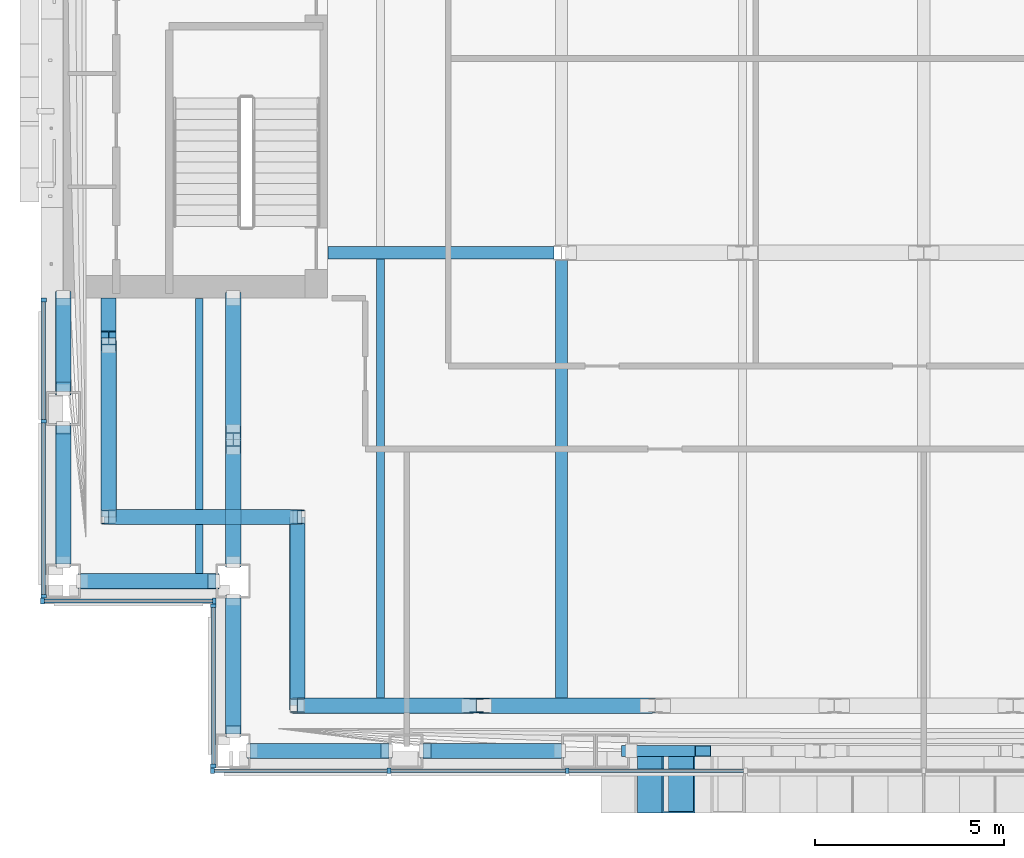
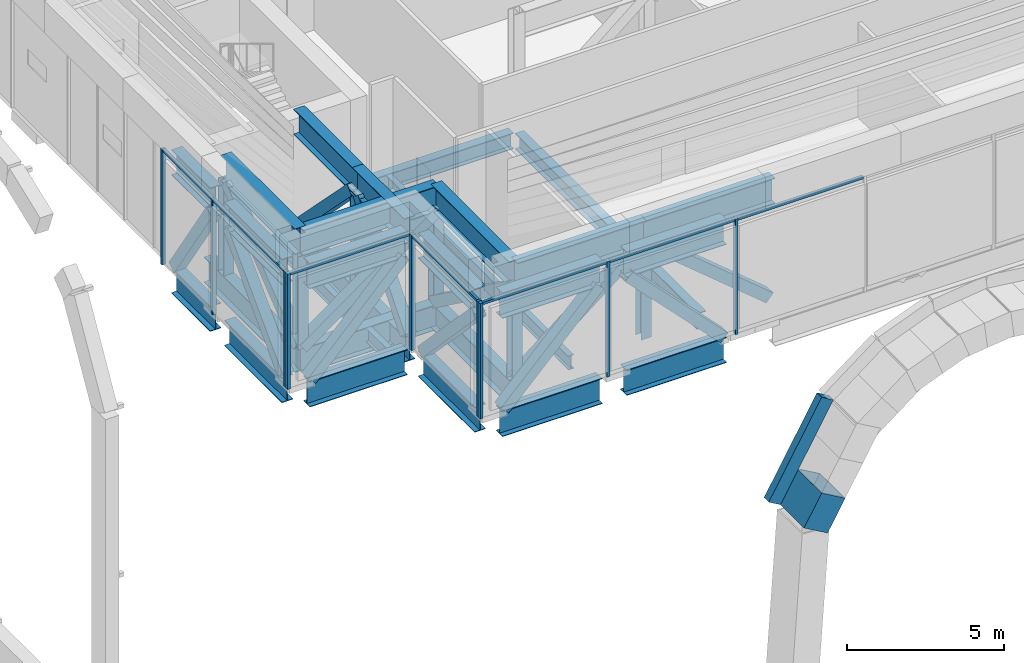
# One storey, part 2 of 38: 60 members, 6 beams, 4 elements without a shape of their own.
"""IFC4 building model written with IfcOpenShell, lengths in metres."""

from ifc_helpers import new_model, si_unit, direction, frame, origin, origin_2d, place, context, subcontext, project, spatial, rectangle, hollow_rectangle, i_section, extrude, material, material_profile, profile_set, type_object, element, aggregate, save


model = new_model("IFC4")

# Units and contexts
model_context = context("Model", 3, precision=1e-05, world=origin(), true_north=direction((0.0, 1.0)))
body_context = subcontext(model_context, "Body", "Model", "MODEL_VIEW")
ifc_project = project(units=[si_unit("LENGTHUNIT", "METRE"), si_unit("AREAUNIT", "SQUARE_METRE"), si_unit("VOLUMEUNIT", "CUBIC_METRE"), si_unit("PLANEANGLEUNIT", "RADIAN"), si_unit("MASSUNIT", "GRAM", prefix="KILO")], contexts=[model_context])

# Site, building, storey
site_placement = place(None, origin())
site = spatial("IfcSite", under=ifc_project, at=site_placement, CompositionType="ELEMENT")
building_placement = place(site_placement, origin())
building = spatial("IfcBuilding", under=site, at=building_placement, Name="Cobrizo Arcos Hotel Tower", CompositionType="ELEMENT")
storey_placement = place(building_placement, frame((0.0, 0.0, 138.0)))
storey = spatial("IfcBuildingStorey", under=building, at=storey_placement, Name="L35", CompositionType="ELEMENT", Elevation=138.0)

# Beam
ifc_material_1 = material(Name="Steel ASTM A572 Grade 50", Category="steel")
ifc_material_profile_1 = material_profile(ifc_material_1, hollow_rectangle(XDim=0.300048828125, YDim=0.5, WallThickness=0.02001953125, at=origin_2d()), Name="BOX 300X500X20")
ifc_profile_set_1 = profile_set([ifc_material_profile_1], Name="Steel ASTM A572 Grade 50")
beam_type_1 = type_object("IfcBeamType", Name="BOX 300X500X20 arch rib", PredefinedType="BEAM", material=ifc_profile_set_1)
beam_1_placement = place(storey_placement, frame((-7.800048828125, -22.800048828125, -7.4326171875), z_axis=(0.497621047013, 0.0, 0.867394543198), x_axis=(0.0, 1.0, 0.0)))
element("IfcBeam", 1, at=beam_1_placement, inside=storey, type_object=beam_type_1, Name="Arch rib AR1, arch B, south face, no. 01", PredefinedType="BEAM", context=body_context, shape_type="SweptSolid", body=[
    extrude(hollow_rectangle(XDim=0.300048828125, YDim=0.5, WallThickness=0.02001953125, at=origin_2d()), origin(), (0.0, 0.0, 1.0), 3.91845703125),
])

# Curtain wall, members
ifc_material_2 = material(Name="Aluminium 6063-T6 anodised bronze", Category="aluminium")
curtain_wall_type = type_object("IfcCurtainWallType", Name="CW-D plant louvre wall", PredefinedType="NOTDEFINED", material=ifc_material_2)
curtain_wall_1_placement = place(storey_placement, origin())
curtain_wall_1 = element("IfcCurtainWall", 2, at=curtain_wall_1_placement, inside=storey, type_object=curtain_wall_type, Name="CW-D L35 S face", PredefinedType="NOTDEFINED")
ifc_material_profile_2 = material_profile(ifc_material_2, rectangle(XDim=0.14990234375, YDim=0.10009765625, at=origin_2d()), Name="CW-D mullion 150x100")
ifc_profile_set_2 = profile_set([ifc_material_profile_2], Name="Aluminium 6063-T6 anodised bronze")
member_type_1 = type_object("IfcMemberType", Name="CW-D mullion 150x100", PredefinedType="MULLION", material=ifc_profile_set_2)
member_1_placement = place(storey_placement, frame((-18.85009765625, -23.324951171875, 0.0), z_axis=(0.0, 0.0, 1.0), x_axis=(0.0, -1.0, 0.0)))
member_1 = element("IfcMember", 3, at=member_1_placement, type_object=member_type_1, Name="CW-D mullion 1", PredefinedType="MULLION", context=body_context, shape_type="SweptSolid", body=[
    extrude(rectangle(XDim=0.14990234375, YDim=0.10009765625, at=origin_2d()), origin(), (0.0, 0.0, 1.0), 4.5),
])
member_2_placement = place(storey_placement, frame((-14.175048828125, -23.324951171875, 0.0), z_axis=(0.0, 0.0, 1.0), x_axis=(0.0, -1.0, 0.0)))
member_2 = element("IfcMember", 4, at=member_2_placement, type_object=member_type_1, Name="CW-D mullion 2", PredefinedType="MULLION", context=body_context, shape_type="SweptSolid", body=[
    extrude(rectangle(XDim=0.14990234375, YDim=0.10009765625, at=origin_2d()), origin(), (0.0, 0.0, 1.0), 4.5),
])
member_3_placement = place(storey_placement, frame((-9.449951171875, -23.324951171875, 0.0), z_axis=(0.0, 0.0, 1.0), x_axis=(0.0, -1.0, 0.0)))
member_3 = element("IfcMember", 5, at=member_3_placement, type_object=member_type_1, Name="CW-D mullion 3", PredefinedType="MULLION", context=body_context, shape_type="SweptSolid", body=[
    extrude(rectangle(XDim=0.14990234375, YDim=0.10009765625, at=origin_2d()), origin(), (0.0, 0.0, 1.0), 4.5),
])

curtain_wall_2_placement = place(storey_placement, origin())
curtain_wall_2 = element("IfcCurtainWall", 6, at=curtain_wall_2_placement, inside=storey, type_object=curtain_wall_type, Name="CW-D L35 W face", PredefinedType="NOTDEFINED")
member_4_placement = place(storey_placement, frame((-23.324951171875, -10.85009765625, 0.0), z_axis=(0.0, 0.0, 1.0), x_axis=(-1.0, 0.0, 0.0)))
member_4 = element("IfcMember", 7, at=member_4_placement, type_object=member_type_1, Name="CW-D mullion 1", PredefinedType="MULLION", context=body_context, shape_type="SweptSolid", body=[
    extrude(rectangle(XDim=0.14990234375, YDim=0.10009765625, at=origin_2d()), origin(), (0.0, 0.0, 1.0), 4.5),
])
member_5_placement = place(storey_placement, frame((-23.324951171875, -14.0625, 0.0), z_axis=(0.0, 0.0, 1.0), x_axis=(-1.0, 0.0, 0.0)))
member_5 = element("IfcMember", 8, at=member_5_placement, type_object=member_type_1, Name="CW-D mullion 2", PredefinedType="MULLION", context=body_context, shape_type="SweptSolid", body=[
    extrude(rectangle(XDim=0.14990234375, YDim=0.10009765625, at=origin_2d()), origin(), (0.0, 0.0, 1.0), 4.5),
])
member_6_placement = place(storey_placement, frame((-23.324951171875, -18.699951171875, 0.0), z_axis=(0.0, 0.0, 1.0), x_axis=(-1.0, 0.0, 0.0)))
member_6 = element("IfcMember", 9, at=member_6_placement, type_object=member_type_1, Name="CW-D mullion 3", PredefinedType="MULLION", context=body_context, shape_type="SweptSolid", body=[
    extrude(rectangle(XDim=0.14990234375, YDim=0.10009765625, at=origin_2d()), origin(), (0.0, 0.0, 1.0), 4.5),
])

curtain_wall_3_placement = place(storey_placement, origin())
curtain_wall_3 = element("IfcCurtainWall", 10, at=curtain_wall_3_placement, inside=storey, type_object=curtain_wall_type, Name="CW-D L35 S face", PredefinedType="NOTDEFINED")
member_7_placement = place(storey_placement, frame((-23.35009765625, -18.824951171875, 0.0), z_axis=(0.0, 0.0, 1.0), x_axis=(0.0, -1.0, 0.0)))
member_7 = element("IfcMember", 11, at=member_7_placement, type_object=member_type_1, Name="CW-D mullion 1", PredefinedType="MULLION", context=body_context, shape_type="SweptSolid", body=[
    extrude(rectangle(XDim=0.14990234375, YDim=0.10009765625, at=origin_2d()), origin(), (0.0, 0.0, 1.0), 4.5),
])
member_8_placement = place(storey_placement, frame((-18.800048828125, -18.824951171875, 0.0), z_axis=(0.0, 0.0, 1.0), x_axis=(0.0, -1.0, 0.0)))
member_8 = element("IfcMember", 12, at=member_8_placement, type_object=member_type_1, Name="CW-D mullion 2", PredefinedType="MULLION", context=body_context, shape_type="SweptSolid", body=[
    extrude(rectangle(XDim=0.14990234375, YDim=0.10009765625, at=origin_2d()), origin(), (0.0, 0.0, 1.0), 4.5),
])

curtain_wall_4_placement = place(storey_placement, origin())
curtain_wall_4 = element("IfcCurtainWall", 13, at=curtain_wall_4_placement, inside=storey, type_object=curtain_wall_type, Name="CW-D L35 W face", PredefinedType="NOTDEFINED")
member_9_placement = place(storey_placement, frame((-18.824951171875, -18.949951171875, 0.0), z_axis=(0.0, 0.0, 1.0), x_axis=(-1.0, 0.0, 0.0)))
member_9 = element("IfcMember", 14, at=member_9_placement, type_object=member_type_1, Name="CW-D mullion 1", PredefinedType="MULLION", context=body_context, shape_type="SweptSolid", body=[
    extrude(rectangle(XDim=0.14990234375, YDim=0.10009765625, at=origin_2d()), origin(), (0.0, 0.0, 1.0), 4.5),
])
member_10_placement = place(storey_placement, frame((-18.824951171875, -23.199951171875, 0.0), z_axis=(0.0, 0.0, 1.0), x_axis=(-1.0, 0.0, 0.0)))
member_10 = element("IfcMember", 15, at=member_10_placement, type_object=member_type_1, Name="CW-D mullion 2", PredefinedType="MULLION", context=body_context, shape_type="SweptSolid", body=[
    extrude(rectangle(XDim=0.14990234375, YDim=0.10009765625, at=origin_2d()), origin(), (0.0, 0.0, 1.0), 4.5),
])

# Member
ifc_material_profile_3 = material_profile(ifc_material_2, rectangle(XDim=0.10009765625, YDim=0.10009765625, at=origin_2d()), Name="CW-D transom 100x100")
ifc_profile_set_3 = profile_set([ifc_material_profile_3], Name="Aluminium 6063-T6 anodised bronze")
member_type_2 = type_object("IfcMemberType", Name="CW-D transom 100x100", PredefinedType="USERDEFINED", material=ifc_profile_set_3)
member_11_placement = place(storey_placement, frame((-18.800048828125, -23.324951171875, 4.449951171875), z_axis=(1.0, 0.0, 0.0), x_axis=(0.0, 1.0, 0.0)))
member_11 = element("IfcMember", 16, at=member_11_placement, type_object=member_type_2, Name="CW-D transom 1275", ObjectType="TRANSOM", PredefinedType="USERDEFINED", context=body_context, shape_type="SweptSolid", body=[
    extrude(rectangle(XDim=0.10009765625, YDim=0.10009765625, at=origin_2d()), origin(), (0.0, 0.0, 1.0), 4.574951171875),
])

member_12_placement = place(storey_placement, frame((-14.125, -23.324951171875, 4.449951171875), z_axis=(1.0, 0.0, 0.0), x_axis=(0.0, 1.0, 0.0)))
member_12 = element("IfcMember", 17, at=member_12_placement, type_object=member_type_2, Name="CW-D transom 1276", ObjectType="TRANSOM", PredefinedType="USERDEFINED", context=body_context, shape_type="SweptSolid", body=[
    extrude(rectangle(XDim=0.10009765625, YDim=0.10009765625, at=origin_2d()), origin(), (0.0, 0.0, 1.0), 4.625),
])

member_13_placement = place(storey_placement, frame((-9.39990234375, -23.324951171875, 4.449951171875), z_axis=(1.0, 0.0, 0.0), x_axis=(0.0, 1.0, 0.0)))
member_13 = element("IfcMember", 18, at=member_13_placement, type_object=member_type_2, Name="CW-D transom 1277", ObjectType="TRANSOM", PredefinedType="USERDEFINED", context=body_context, shape_type="SweptSolid", body=[
    extrude(rectangle(XDim=0.10009765625, YDim=0.10009765625, at=origin_2d()), origin(), (0.0, 0.0, 1.0), 4.625),
])

aggregate(curtain_wall_1, [member_1, member_2, member_3, member_11, member_12, member_13])

member_14_placement = place(storey_placement, frame((-23.324951171875, -10.89990234375, 4.449951171875), z_axis=(0.0, -1.0, 0.0), x_axis=(1.0, 0.0, 0.0)))
member_14 = element("IfcMember", 19, at=member_14_placement, type_object=member_type_2, Name="CW-D transom 1303", ObjectType="TRANSOM", PredefinedType="USERDEFINED", context=body_context, shape_type="SweptSolid", body=[
    extrude(rectangle(XDim=0.10009765625, YDim=0.10009765625, at=origin_2d()), origin(), (0.0, 0.0, 1.0), 3.112548828125),
])

member_15_placement = place(storey_placement, frame((-23.324951171875, -14.112548828125, 4.449951171875), z_axis=(0.0, -1.0, 0.0), x_axis=(1.0, 0.0, 0.0)))
member_15 = element("IfcMember", 20, at=member_15_placement, type_object=member_type_2, Name="CW-D transom 1304", ObjectType="TRANSOM", PredefinedType="USERDEFINED", context=body_context, shape_type="SweptSolid", body=[
    extrude(rectangle(XDim=0.10009765625, YDim=0.10009765625, at=origin_2d()), origin(), (0.0, 0.0, 1.0), 4.537353515625),
])

aggregate(curtain_wall_2, [member_4, member_5, member_6, member_14, member_15])

member_16_placement = place(storey_placement, frame((-23.300048828125, -18.824951171875, 4.449951171875), z_axis=(1.0, 0.0, 0.0), x_axis=(0.0, 1.0, 0.0)))
member_16 = element("IfcMember", 21, at=member_16_placement, type_object=member_type_2, Name="CW-D transom 1305", ObjectType="TRANSOM", PredefinedType="USERDEFINED", context=body_context, shape_type="SweptSolid", body=[
    extrude(rectangle(XDim=0.10009765625, YDim=0.10009765625, at=origin_2d()), origin(), (0.0, 0.0, 1.0), 4.449951171875),
])

aggregate(curtain_wall_3, [member_7, member_8, member_16])

member_17_placement = place(storey_placement, frame((-18.824951171875, -19.0, 4.449951171875), z_axis=(0.0, -1.0, 0.0), x_axis=(1.0, 0.0, 0.0)))
member_17 = element("IfcMember", 22, at=member_17_placement, type_object=member_type_2, Name="CW-D transom 1306", ObjectType="TRANSOM", PredefinedType="USERDEFINED", context=body_context, shape_type="SweptSolid", body=[
    extrude(rectangle(XDim=0.10009765625, YDim=0.10009765625, at=origin_2d()), origin(), (0.0, 0.0, 1.0), 4.14990234375),
])

aggregate(curtain_wall_4, [member_9, member_10, member_17])

# Members
ifc_material_3 = material(Name="Steel ASTM A500 Grade C", Category="steel")
ifc_material_profile_4 = material_profile(ifc_material_3, hollow_rectangle(XDim=0.406494140625, YDim=0.406494140625, WallThickness=0.014892578125, at=origin_2d()), Name="HSS16X16X5/8")
ifc_profile_set_4 = profile_set([ifc_material_profile_4], Name="Steel ASTM A500 Grade C")
member_type_3 = type_object("IfcMemberType", Name="HSS16X16X5/8 truss diagonal", PredefinedType="BRACE", material=ifc_profile_set_4)
for number, where, z_axis, x_axis, name in (
    (23, (-17.77001953125, -22.800048828125, -0.300048828125), (0.697692612805, 0.0, 0.716397248764), (0.0, 1.0, 0.0), "Belt truss diagonal TD1, L35, no. 001"),
    (24, (-13.195068359375, -22.800048828125, 3.309326171875), (0.697692612805, 0.0, -0.716397248764), (0.0, 1.0, 0.0), "Belt truss diagonal TD1, L35, no. 002"),
):
    element("IfcMember", number, at=place(storey_placement, frame(where, z_axis=z_axis, x_axis=x_axis)), inside=storey, type_object=member_type_3, Name=name, PredefinedType="BRACE", context=body_context, shape_type="SweptSolid", body=[
        extrude(hollow_rectangle(XDim=0.406494140625, YDim=0.406494140625, WallThickness=0.014892578125, at=origin_2d()), origin(), (0.0, 0.0, 1.0), 5.038330078125),
    ])
member_18_placement = place(storey_placement, frame((-22.800048828125, -10.801025390625, -0.300048828125), z_axis=(0.0, -0.552747460916, 0.833348813194), x_axis=(1.0, 0.0, 0.0)))
element("IfcMember", 25, at=member_18_placement, inside=storey, type_object=member_type_3, Name="Belt truss diagonal TD1, L35, no. 027", PredefinedType="BRACE", context=body_context, shape_type="SweptSolid", body=[
    extrude(hollow_rectangle(XDim=0.406494140625, YDim=0.406494140625, WallThickness=0.014892578125, at=origin_2d()), origin(), (0.0, 0.0, 1.0), 4.3310546875),
])
member_19_placement = place(storey_placement, frame((-22.800048828125, -14.2548828125, 3.309326171875), z_axis=(0.0, -0.697692612805, -0.716397248764), x_axis=(1.0, 0.0, 0.0)))
element("IfcMember", 26, at=member_19_placement, inside=storey, type_object=member_type_3, Name="Belt truss diagonal TD1, L35, no. 028", PredefinedType="BRACE", context=body_context, shape_type="SweptSolid", body=[
    extrude(hollow_rectangle(XDim=0.406494140625, YDim=0.406494140625, WallThickness=0.014892578125, at=origin_2d()), origin(), (0.0, 0.0, 1.0), 5.038330078125),
])
for number, where, z_axis, x_axis, name in (
    (27, (-22.27001953125, -18.300048828125, -0.300048828125), (0.689911887798, 0.0, 0.723893353385), (0.0, 1.0, 0.0), "Belt truss diagonal TD1, L35, no. 029"),
    (28, (-18.300048828125, -18.830078125, -0.300048828125), (0.0, -0.689911887798, 0.723893353385), (1.0, 0.0, 0.0), "Belt truss diagonal TD1, L35, no. 030"),
):
    element("IfcMember", number, at=place(storey_placement, frame(where, z_axis=z_axis, x_axis=x_axis)), inside=storey, type_object=member_type_3, Name=name, PredefinedType="BRACE", context=body_context, shape_type="SweptSolid", body=[
        extrude(hollow_rectangle(XDim=0.406494140625, YDim=0.406494140625, WallThickness=0.014892578125, at=origin_2d()), origin(), (0.0, 0.0, 1.0), 4.986083984375),
    ])
member_20_placement = place(storey_placement, frame((-16.60009765625, -21.60009765625, -0.300048828125), z_axis=(0.782982461562, 0.0, 0.622043780522), x_axis=(0.0, 1.0, 0.0)))
element("IfcMember", 29, at=member_20_placement, inside=storey, type_object=member_type_3, Name="Belt truss diagonal TD1, L35, no. 031", PredefinedType="BRACE", context=body_context, shape_type="SweptSolid", body=[
    extrude(hollow_rectangle(XDim=0.406494140625, YDim=0.406494140625, WallThickness=0.014892578125, at=origin_2d()), origin(), (0.0, 0.0, 1.0), 5.802490234375),
])
member_21_placement = place(storey_placement, frame((-11.656982421875, -21.60009765625, 3.309326171875), z_axis=(0.769074628043, 0.0, -0.639158991567), x_axis=(0.0, 1.0, 0.0)))
element("IfcMember", 30, at=member_21_placement, inside=storey, type_object=member_type_3, Name="Belt truss diagonal TD1, L35, no. 032", PredefinedType="BRACE", context=body_context, shape_type="SweptSolid", body=[
    extrude(hollow_rectangle(XDim=0.406494140625, YDim=0.406494140625, WallThickness=0.014892578125, at=origin_2d()), origin(), (0.0, 0.0, 1.0), 5.64697265625),
])
member_22_placement = place(storey_placement, frame((-21.60009765625, -12.056884765625, 3.309326171875), z_axis=(0.0, -0.782982461562, -0.622043780522), x_axis=(1.0, 0.0, 0.0)))
element("IfcMember", 31, at=member_22_placement, inside=storey, type_object=member_type_3, Name="Belt truss diagonal TD1, L35, no. 054", PredefinedType="BRACE", context=body_context, shape_type="SweptSolid", body=[
    extrude(hollow_rectangle(XDim=0.406494140625, YDim=0.406494140625, WallThickness=0.014892578125, at=origin_2d()), origin(), (0.0, 0.0, 1.0), 5.802490234375),
])
for number, where, z_axis, x_axis, name in (
    (32, (-21.60009765625, -16.60009765625, -0.300048828125), (0.810812835162, 0.0, 0.585305515382), (0.0, 1.0, 0.0), "Belt truss diagonal TD1, L35, no. 055"),
    (33, (-16.60009765625, -16.60009765625, -0.300048828125), (0.0, -0.810812835162, 0.585305515382), (1.0, 0.0, 0.0), "Belt truss diagonal TD1, L35, no. 056"),
):
    element("IfcMember", number, at=place(storey_placement, frame(where, z_axis=z_axis, x_axis=x_axis)), inside=storey, type_object=member_type_3, Name=name, PredefinedType="BRACE", context=body_context, shape_type="SweptSolid", body=[
        extrude(hollow_rectangle(XDim=0.406494140625, YDim=0.406494140625, WallThickness=0.014892578125, at=origin_2d()), origin(), (0.0, 0.0, 1.0), 6.166748046875),
    ])
member_23_placement = place(storey_placement, frame((-18.300048828125, -10.800048828125, -0.300048828125), z_axis=(0.0, -0.70122330533, 0.712941705935), x_axis=(1.0, 0.0, 0.0)))
element("IfcMember", 34, at=member_23_placement, inside=storey, type_object=member_type_3, Name="Outrigger diagonal TD1, L35, no. 007", PredefinedType="BRACE", context=body_context, shape_type="SweptSolid", body=[
    extrude(hollow_rectangle(XDim=0.406494140625, YDim=0.406494140625, WallThickness=0.014892578125, at=origin_2d()), origin(), (0.0, 0.0, 1.0), 5.062744140625),
])
member_24_placement = place(storey_placement, frame((-18.300048828125, -14.75, 3.309326171875), z_axis=(0.0, -0.641713914512, -0.766944099607), x_axis=(1.0, 0.0, 0.0)))
element("IfcMember", 35, at=member_24_placement, inside=storey, type_object=member_type_3, Name="Outrigger diagonal TD1, L35, no. 008", PredefinedType="BRACE", context=body_context, shape_type="SweptSolid", body=[
    extrude(hollow_rectangle(XDim=0.406494140625, YDim=0.406494140625, WallThickness=0.014892578125, at=origin_2d()), origin(), (0.0, 0.0, 1.0), 4.706298828125),
])
ifc_material_4 = material(Name="Steel ASTM A572 Grade 50 verdigris painted", Category="steel")
ifc_material_profile_5 = material_profile(ifc_material_4, hollow_rectangle(XDim=1.60009765625, YDim=1.0, WallThickness=0.050048828125, at=origin_2d()), Name="PF-2 arch ring frame box 1600x1000x50")
ifc_profile_set_5 = profile_set([ifc_material_profile_5], Name="Steel ASTM A572 Grade 50 verdigris painted")
member_type_4 = type_object("IfcMemberType", Name="PF-2 arch ring frame box 1600x1000x50", PredefinedType="USERDEFINED", material=ifc_profile_set_5)
member_25_placement = place(storey_placement, frame((-7.1494140625, -23.64990234375, -7.805908203125), z_axis=(0.497547278685, 0.0, 0.867436859646), x_axis=(0.0, 1.0, 0.0)))
element("IfcMember", 36, at=member_25_placement, inside=storey, type_object=member_type_4, Name="B ring frame lintel S1", ObjectType="PORTAL FRAME", PredefinedType="USERDEFINED", context=body_context, shape_type="SweptSolid", body=[
    extrude(hollow_rectangle(XDim=1.60009765625, YDim=1.0, WallThickness=0.050048828125, at=origin_2d()), origin(), (0.0, 0.0, 1.0), 1.30615234375),
])
ifc_material_5 = material(Name="Steel ASTM A992 Grade 50", Category="steel")
ifc_material_profile_6 = material_profile(ifc_material_5, i_section(OverallWidth=0.373291015625, OverallDepth=0.373291015625, WebThickness=0.016357421875, FlangeThickness=0.026123046875, at=origin_2d()), Name="W14X132")
ifc_profile_set_6 = profile_set([ifc_material_profile_6], Name="Steel ASTM A992 Grade 50")
member_type_5 = type_object("IfcMemberType", Name="W14X132 truss post", PredefinedType="POST", material=ifc_profile_set_6)
for number, where, z_axis, x_axis, name in (
    (37, (-16.60009765625, -21.60009765625, -0.300048828125), (0.0, 0.0, 1.0), (1.0, 0.0, 0.0), "Truss post TP1, L35, no. 005"),
    (38, (-11.85693359375, -21.60009765625, -0.300048828125), (0.0, 0.0, 1.0), (1.0, 0.0, 0.0), "Truss post TP1, L35, no. 006"),
    (39, (-21.60009765625, -11.85693359375, -0.300048828125), (0.0, 0.0, 1.0), (1.0, 0.0, 0.0), "Truss post TP1, L35, no. 030"),
    (40, (-21.60009765625, -16.60009765625, -0.300048828125), (0.0, 0.0, 1.0), (1.0, 0.0, 0.0), "Truss post TP1, L35, no. 031"),
    (41, (-16.60009765625, -16.60009765625, -0.300048828125), (0.0, 0.0, 1.0), (1.0, 0.0, 0.0), "Truss post TP1, L35, no. 032"),
    (42, (-18.300048828125, -14.550048828125, -0.300048828125), (0.0, 0.0, 1.0), (1.0, 0.0, 0.0), "Truss post TP1, L35, no. 035"),
):
    element("IfcMember", number, at=place(storey_placement, frame(where, z_axis=z_axis, x_axis=x_axis)), inside=storey, type_object=member_type_5, Name=name, PredefinedType="POST", context=body_context, shape_type="SweptSolid", body=[
        extrude(i_section(OverallWidth=0.373291015625, OverallDepth=0.373291015625, WebThickness=0.016357421875, FlangeThickness=0.026123046875, at=origin_2d()), origin(), (0.0, 0.0, 1.0), 3.609375),
    ])

# Beams
ifc_material_profile_7 = material_profile(ifc_material_5, i_section(OverallWidth=0.209228515625, OverallDepth=0.533447265625, WebThickness=0.01025390625, FlangeThickness=0.015625, at=origin_2d()), Name="W21X62")
ifc_profile_set_7 = profile_set([ifc_material_profile_7], Name="Steel ASTM A992 Grade 50")
beam_type_2 = type_object("IfcBeamType", Name="W21X62 joist", PredefinedType="JOIST", material=ifc_profile_set_7)
beam_2_placement = place(storey_placement, frame((-19.199951171875, -18.099609375, -0.566650390625), z_axis=(0.0, 1.0, 0.0), x_axis=(-1.0, 0.0, 0.0)))
element("IfcBeam", 43, at=beam_2_placement, inside=storey, type_object=beam_type_2, Name="Floor joist J1, L35, no. 001", PredefinedType="JOIST", context=body_context, shape_type="SweptSolid", body=[
    extrude(i_section(OverallWidth=0.209228515625, OverallDepth=0.533447265625, WebThickness=0.01025390625, FlangeThickness=0.015625, at=origin_2d()), origin(), (0.0, 0.0, 1.0), 1.299072265625),
])
beam_3_placement = place(storey_placement, frame((-19.199951171875, -16.3994140625, -0.566650390625), z_axis=(0.0, 1.0, 0.0), x_axis=(-1.0, 0.0, 0.0)))
element("IfcBeam", 44, at=beam_3_placement, inside=storey, type_object=beam_type_2, Name="Floor joist J1, L35, no. 002", PredefinedType="JOIST", context=body_context, shape_type="SweptSolid", body=[
    extrude(i_section(OverallWidth=0.209228515625, OverallDepth=0.533447265625, WebThickness=0.01025390625, FlangeThickness=0.015625, at=origin_2d()), origin(), (0.0, 0.0, 1.0), 5.58935546875),
])
beam_4_placement = place(storey_placement, frame((-14.39990234375, -21.3994140625, -0.566650390625), z_axis=(0.0, 1.0, 0.0), x_axis=(-1.0, 0.0, 0.0)))
element("IfcBeam", 45, at=beam_4_placement, inside=storey, type_object=beam_type_2, Name="Floor joist J1, L35, no. 005", PredefinedType="JOIST", context=body_context, shape_type="SweptSolid", body=[
    extrude(i_section(OverallWidth=0.209228515625, OverallDepth=0.533447265625, WebThickness=0.01025390625, FlangeThickness=0.015625, at=origin_2d()), origin(), (0.0, 0.0, 1.0), 11.635498046875),
])
ifc_material_profile_8 = material_profile(ifc_material_5, i_section(OverallWidth=0.32763671875, OverallDepth=0.622314453125, WebThickness=0.015380859375, FlangeThickness=0.0244140625, at=origin_2d()), Name="W24X131")
ifc_profile_set_8 = profile_set([ifc_material_profile_8], Name="Steel ASTM A992 Grade 50")
beam_type_3 = type_object("IfcBeamType", Name="W24X131 girder", PredefinedType="BEAM", material=ifc_profile_set_8)
beam_5_placement = place(storey_placement, frame((-15.7900390625, -9.60009765625, -0.611083984375), z_axis=(1.0, 0.0, 0.0), x_axis=(0.0, 1.0, 0.0)))
element("IfcBeam", 46, at=beam_5_placement, inside=storey, type_object=beam_type_3, Name="Floor girder G1, L35, no. 001", PredefinedType="BEAM", context=body_context, shape_type="SweptSolid", body=[
    extrude(i_section(OverallWidth=0.32763671875, OverallDepth=0.622314453125, WebThickness=0.015380859375, FlangeThickness=0.0244140625, at=origin_2d()), origin(), (0.0, 0.0, 1.0), 5.99072265625),
])
beam_6_placement = place(storey_placement, frame((-9.60009765625, -21.3994140625, -0.611083984375), z_axis=(0.0, 1.0, 0.0), x_axis=(-1.0, 0.0, 0.0)))
element("IfcBeam", 47, at=beam_6_placement, inside=storey, type_object=beam_type_3, Name="Floor girder G1, L35, no. 007", PredefinedType="BEAM", context=body_context, shape_type="SweptSolid", body=[
    extrude(i_section(OverallWidth=0.32763671875, OverallDepth=0.622314453125, WebThickness=0.015380859375, FlangeThickness=0.0244140625, at=origin_2d()), origin(), (0.0, 0.0, 1.0), 11.598876953125),
])

# Members
ifc_material_profile_9 = material_profile(ifc_material_5, i_section(OverallWidth=0.4013671875, OverallDepth=0.990478515625, WebThickness=0.0166015625, FlangeThickness=0.025390625, at=origin_2d()), Name="W40X215")
ifc_profile_set_9 = profile_set([ifc_material_profile_9], Name="Steel ASTM A992 Grade 50")
member_type_6 = type_object("IfcMemberType", Name="W40X215 belt truss chord", PredefinedType="CHORD", material=ifc_profile_set_9)
member_26_placement = place(storey_placement, frame((-17.85009765625, -22.800048828125, -0.79541015625), z_axis=(1.0, 0.0, 0.0), x_axis=(0.0, 1.0, 0.0)))
element("IfcMember", 48, at=member_26_placement, inside=storey, type_object=member_type_6, Name="Belt truss bottom chord TC1, L35, no. 001", PredefinedType="CHORD", context=body_context, shape_type="SweptSolid", body=[
    extrude(i_section(OverallWidth=0.4013671875, OverallDepth=0.990478515625, WebThickness=0.0166015625, FlangeThickness=0.025390625, at=origin_2d()), origin(), (0.0, 0.0, 1.0), 3.675048828125),
])
member_27_placement = place(storey_placement, frame((-13.27490234375, -22.800048828125, -0.79541015625), z_axis=(1.0, 0.0, 0.0), x_axis=(0.0, 1.0, 0.0)))
element("IfcMember", 49, at=member_27_placement, inside=storey, type_object=member_type_6, Name="Belt truss bottom chord TC1, L35, no. 002", PredefinedType="CHORD", context=body_context, shape_type="SweptSolid", body=[
    extrude(i_section(OverallWidth=0.4013671875, OverallDepth=0.990478515625, WebThickness=0.0166015625, FlangeThickness=0.025390625, at=origin_2d()), origin(), (0.0, 0.0, 1.0), 3.6748046875),
])
member_28_placement = place(storey_placement, frame((-17.85009765625, -22.800048828125, 3.8046875), z_axis=(1.0, 0.0, 0.0), x_axis=(0.0, 1.0, 0.0)))
element("IfcMember", 50, at=member_28_placement, inside=storey, type_object=member_type_6, Name="Belt truss top chord TC1, L35, no. 001", PredefinedType="CHORD", context=body_context, shape_type="SweptSolid", body=[
    extrude(i_section(OverallWidth=0.4013671875, OverallDepth=0.990478515625, WebThickness=0.0166015625, FlangeThickness=0.025390625, at=origin_2d()), origin(), (0.0, 0.0, 1.0), 3.675048828125),
])
member_29_placement = place(storey_placement, frame((-13.27490234375, -22.800048828125, 3.8046875), z_axis=(1.0, 0.0, 0.0), x_axis=(0.0, 1.0, 0.0)))
element("IfcMember", 51, at=member_29_placement, inside=storey, type_object=member_type_6, Name="Belt truss top chord TC1, L35, no. 002", PredefinedType="CHORD", context=body_context, shape_type="SweptSolid", body=[
    extrude(i_section(OverallWidth=0.4013671875, OverallDepth=0.990478515625, WebThickness=0.0166015625, FlangeThickness=0.025390625, at=origin_2d()), origin(), (0.0, 0.0, 1.0), 3.6748046875),
])
member_30_placement = place(storey_placement, frame((-22.800048828125, -10.801025390625, -0.79541015625), z_axis=(0.0, -1.0, 0.0), x_axis=(1.0, 0.0, 0.0)))
element("IfcMember", 52, at=member_30_placement, inside=storey, type_object=member_type_6, Name="Belt truss bottom chord TC1, L35, no. 023", PredefinedType="CHORD", context=body_context, shape_type="SweptSolid", body=[
    extrude(i_section(OverallWidth=0.4013671875, OverallDepth=0.990478515625, WebThickness=0.0166015625, FlangeThickness=0.025390625, at=origin_2d()), origin(), (0.0, 0.0, 1.0), 2.473876953125),
])
member_31_placement = place(storey_placement, frame((-22.800048828125, -14.175048828125, -0.79541015625), z_axis=(0.0, -1.0, 0.0), x_axis=(1.0, 0.0, 0.0)))
element("IfcMember", 53, at=member_31_placement, inside=storey, type_object=member_type_6, Name="Belt truss bottom chord TC1, L35, no. 024", PredefinedType="CHORD", context=body_context, shape_type="SweptSolid", body=[
    extrude(i_section(OverallWidth=0.4013671875, OverallDepth=0.990478515625, WebThickness=0.0166015625, FlangeThickness=0.025390625, at=origin_2d()), origin(), (0.0, 0.0, 1.0), 3.675048828125),
])
member_32_placement = place(storey_placement, frame((-22.800048828125, -10.801025390625, 3.8046875), z_axis=(0.0, -1.0, 0.0), x_axis=(1.0, 0.0, 0.0)))
element("IfcMember", 54, at=member_32_placement, inside=storey, type_object=member_type_6, Name="Belt truss top chord TC1, L35, no. 027", PredefinedType="CHORD", context=body_context, shape_type="SweptSolid", body=[
    extrude(i_section(OverallWidth=0.4013671875, OverallDepth=0.990478515625, WebThickness=0.0166015625, FlangeThickness=0.025390625, at=origin_2d()), origin(), (0.0, 0.0, 1.0), 2.473876953125),
])
member_33_placement = place(storey_placement, frame((-22.800048828125, -14.175048828125, 3.8046875), z_axis=(0.0, -1.0, 0.0), x_axis=(1.0, 0.0, 0.0)))
element("IfcMember", 55, at=member_33_placement, inside=storey, type_object=member_type_6, Name="Belt truss top chord TC1, L35, no. 028", PredefinedType="CHORD", context=body_context, shape_type="SweptSolid", body=[
    extrude(i_section(OverallWidth=0.4013671875, OverallDepth=0.990478515625, WebThickness=0.0166015625, FlangeThickness=0.025390625, at=origin_2d()), origin(), (0.0, 0.0, 1.0), 3.675048828125),
])
for number, where, z_axis, x_axis, name in (
    (56, (-22.35009765625, -18.300048828125, -0.79541015625), (1.0, 0.0, 0.0), (0.0, 1.0, 0.0), "Belt truss bottom chord TC1, L35, no. 025"),
    (57, (-22.35009765625, -18.300048828125, 3.8046875), (1.0, 0.0, 0.0), (0.0, 1.0, 0.0), "Belt truss top chord TC1, L35, no. 029"),
    (58, (-18.300048828125, -18.75, -0.79541015625), (0.0, -1.0, 0.0), (1.0, 0.0, 0.0), "Belt truss bottom chord TC1, L35, no. 026"),
    (59, (-18.300048828125, -18.75, 3.8046875), (0.0, -1.0, 0.0), (1.0, 0.0, 0.0), "Belt truss top chord TC1, L35, no. 030"),
):
    element("IfcMember", number, at=place(storey_placement, frame(where, z_axis=z_axis, x_axis=x_axis)), inside=storey, type_object=member_type_6, Name=name, PredefinedType="CHORD", context=body_context, shape_type="SweptSolid", body=[
        extrude(i_section(OverallWidth=0.4013671875, OverallDepth=0.990478515625, WebThickness=0.0166015625, FlangeThickness=0.025390625, at=origin_2d()), origin(), (0.0, 0.0, 1.0), 3.60009765625),
    ])
member_34_placement = place(storey_placement, frame((-16.60009765625, -21.60009765625, 3.8046875), z_axis=(1.0, 0.0, 0.0), x_axis=(0.0, 1.0, 0.0)))
element("IfcMember", 60, at=member_34_placement, inside=storey, type_object=member_type_6, Name="Belt truss top chord TC1, L35, no. 031", PredefinedType="CHORD", context=body_context, shape_type="SweptSolid", body=[
    extrude(i_section(OverallWidth=0.4013671875, OverallDepth=0.990478515625, WebThickness=0.0166015625, FlangeThickness=0.025390625, at=origin_2d()), origin(), (0.0, 0.0, 1.0), 4.7431640625),
])
member_35_placement = place(storey_placement, frame((-11.85693359375, -21.60009765625, 3.8046875), z_axis=(1.0, 0.0, 0.0), x_axis=(0.0, 1.0, 0.0)))
element("IfcMember", 61, at=member_35_placement, inside=storey, type_object=member_type_6, Name="Belt truss top chord TC1, L35, no. 032", PredefinedType="CHORD", context=body_context, shape_type="SweptSolid", body=[
    extrude(i_section(OverallWidth=0.4013671875, OverallDepth=0.990478515625, WebThickness=0.0166015625, FlangeThickness=0.025390625, at=origin_2d()), origin(), (0.0, 0.0, 1.0), 4.742919921875),
])
member_36_placement = place(storey_placement, frame((-21.60009765625, -10.801025390625, -0.79541015625), z_axis=(0.0, -1.0, 0.0), x_axis=(1.0, 0.0, 0.0)))
element("IfcMember", 62, at=member_36_placement, inside=storey, type_object=member_type_6, Name="Belt truss bottom chord TC1, L35, no. 038", PredefinedType="CHORD", context=body_context, shape_type="SweptSolid", body=[
    extrude(i_section(OverallWidth=0.4013671875, OverallDepth=0.990478515625, WebThickness=0.0166015625, FlangeThickness=0.025390625, at=origin_2d()), origin(), (0.0, 0.0, 1.0), 5.799072265625),
])
member_37_placement = place(storey_placement, frame((-21.60009765625, -11.85693359375, 3.8046875), z_axis=(0.0, -1.0, 0.0), x_axis=(1.0, 0.0, 0.0)))
element("IfcMember", 63, at=member_37_placement, inside=storey, type_object=member_type_6, Name="Belt truss top chord TC1, L35, no. 054", PredefinedType="CHORD", context=body_context, shape_type="SweptSolid", body=[
    extrude(i_section(OverallWidth=0.4013671875, OverallDepth=0.990478515625, WebThickness=0.0166015625, FlangeThickness=0.025390625, at=origin_2d()), origin(), (0.0, 0.0, 1.0), 4.7431640625),
])
for number, where, z_axis, x_axis, name in (
    (64, (-21.60009765625, -16.60009765625, -0.79541015625), (1.0, 0.0, 0.0), (0.0, 1.0, 0.0), "Belt truss bottom chord TC1, L35, no. 039"),
    (65, (-21.60009765625, -16.60009765625, 3.8046875), (1.0, 0.0, 0.0), (0.0, 1.0, 0.0), "Belt truss top chord TC1, L35, no. 055"),
    (66, (-16.60009765625, -16.60009765625, -0.79541015625), (0.0, -1.0, 0.0), (1.0, 0.0, 0.0), "Belt truss bottom chord TC1, L35, no. 040"),
    (67, (-16.60009765625, -16.60009765625, 3.8046875), (0.0, -1.0, 0.0), (1.0, 0.0, 0.0), "Belt truss top chord TC1, L35, no. 056"),
):
    element("IfcMember", number, at=place(storey_placement, frame(where, z_axis=z_axis, x_axis=x_axis)), inside=storey, type_object=member_type_6, Name=name, PredefinedType="CHORD", context=body_context, shape_type="SweptSolid", body=[
        extrude(i_section(OverallWidth=0.4013671875, OverallDepth=0.990478515625, WebThickness=0.0166015625, FlangeThickness=0.025390625, at=origin_2d()), origin(), (0.0, 0.0, 1.0), 5.0),
    ])
member_38_placement = place(storey_placement, frame((-18.300048828125, -10.800048828125, -0.79541015625), z_axis=(0.0, -1.0, 0.0), x_axis=(1.0, 0.0, 0.0)))
element("IfcMember", 68, at=member_38_placement, inside=storey, type_object=member_type_6, Name="Outrigger bottom chord TC1, L35, no. 005", PredefinedType="CHORD", context=body_context, shape_type="SweptSolid", body=[
    extrude(i_section(OverallWidth=0.4013671875, OverallDepth=0.990478515625, WebThickness=0.0166015625, FlangeThickness=0.025390625, at=origin_2d()), origin(), (0.0, 0.0, 1.0), 7.050048828125),
])
member_39_placement = place(storey_placement, frame((-18.300048828125, -10.800048828125, 3.8046875), z_axis=(0.0, -1.0, 0.0), x_axis=(1.0, 0.0, 0.0)))
element("IfcMember", 69, at=member_39_placement, inside=storey, type_object=member_type_6, Name="Outrigger top chord TC1, L35, no. 007", PredefinedType="CHORD", context=body_context, shape_type="SweptSolid", body=[
    extrude(i_section(OverallWidth=0.4013671875, OverallDepth=0.990478515625, WebThickness=0.0166015625, FlangeThickness=0.025390625, at=origin_2d()), origin(), (0.0, 0.0, 1.0), 3.75),
])
member_40_placement = place(storey_placement, frame((-18.300048828125, -14.550048828125, 3.8046875), z_axis=(0.0, -1.0, 0.0), x_axis=(1.0, 0.0, 0.0)))
element("IfcMember", 70, at=member_40_placement, inside=storey, type_object=member_type_6, Name="Outrigger top chord TC1, L35, no. 008", PredefinedType="CHORD", context=body_context, shape_type="SweptSolid", body=[
    extrude(i_section(OverallWidth=0.4013671875, OverallDepth=0.990478515625, WebThickness=0.0166015625, FlangeThickness=0.025390625, at=origin_2d()), origin(), (0.0, 0.0, 1.0), 3.300048828125),
])

save(model, "model.ifc")
